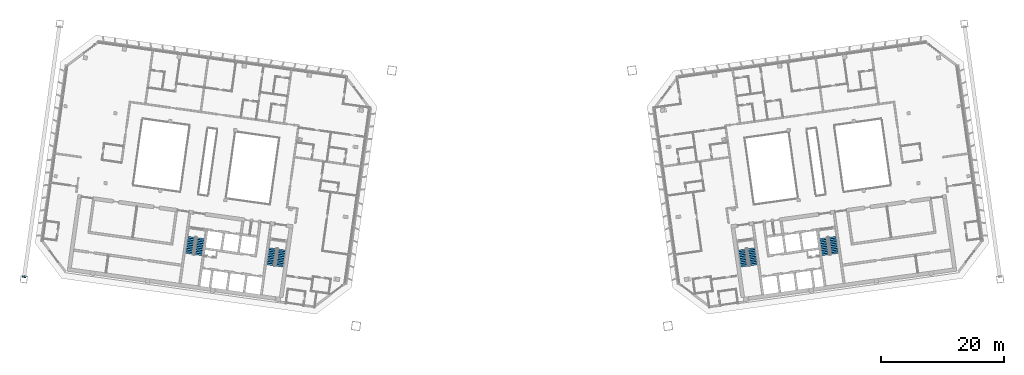
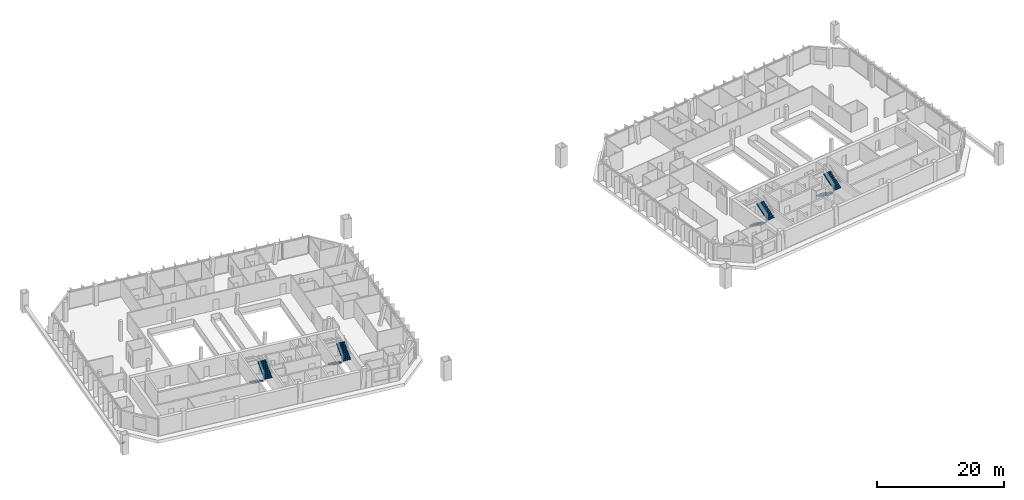
# One storey, part 22 of 26: 8 stair flights, 1 discrete accessory, 4 elements without a shape of their own.
"""IFC4 building model written with IfcOpenShell, lengths in metres."""

from ifc_helpers import new_model, si_unit, direction, frame, origin, origin_2d, place, context, subcontext, project, spatial, polyline, rectangle, outline, extrude, material, material_profile, profile_set, type_object, element, aggregate, save


model = new_model("IFC4")

# Units and contexts
model_context = context("Model", 3, precision=1e-05, world=origin(), true_north=direction((0.0, 1.0)))
body_context = subcontext(model_context, "Body", "Model", "MODEL_VIEW")
ifc_project = project(units=[si_unit("LENGTHUNIT", "METRE"), si_unit("AREAUNIT", "SQUARE_METRE"), si_unit("VOLUMEUNIT", "CUBIC_METRE"), si_unit("PLANEANGLEUNIT", "RADIAN"), si_unit("MASSUNIT", "GRAM", prefix="KILO")], contexts=[model_context])

# Site, building, storey
site_placement = place(None, origin())
site = spatial("IfcSite", under=ifc_project, at=site_placement, CompositionType="ELEMENT")
building_placement = place(site_placement, origin())
building = spatial("IfcBuilding", under=site, at=building_placement, Name="Mirante Cascada Hotel Towers", CompositionType="ELEMENT")
storey_placement = place(building_placement, frame((0.0, 0.0, 216.6)))
storey = spatial("IfcBuildingStorey", under=building, at=storey_placement, Name="L51", CompositionType="ELEMENT", Elevation=216.6)

# Stair, stair flights
ifc_material_1 = material(Name="Concrete C35/45", Category="concrete")
stair_type = type_object("IfcStairType", Name="Exit stair half-turn 1350 concrete C35/45", PredefinedType="HALF_TURN_STAIR", material=ifc_material_1)
stair_1_placement = place(storey_placement, origin())
stair_1 = element("IfcStair", 1, at=stair_1_placement, inside=storey, type_object=stair_type, Name="L51 Exit stair A", PredefinedType="HALF_TURN_STAIR")
ifc_material_2 = material(Name="Concrete C35/45", Category="concrete")
stair_flight_type = type_object("IfcStairFlightType", Name="Exit stair flight 1350 concrete C35/45", PredefinedType="STRAIGHT", material=ifc_material_2)
stair_flight_1_placement = place(storey_placement, frame((-38.9417, -11.195, 0.0), z_axis=(0.0, 0.0, 1.0), x_axis=(-0.1391731, -0.9902681, 0.0)))
stair_flight_1 = element("IfcStairFlight", 2, at=stair_flight_1_placement, type_object=stair_flight_type, Name="ST1-A flight 1", NumberOfRisers=11, NumberOfTreads=10, PredefinedType="STRAIGHT", RiserHeight=0.172727273, TreadLength=0.28, context=body_context, shape_type="SweptSolid", body=[
    extrude(outline(polyline([(0.0, 0.0), (0.0, 0.1727), (0.28, 0.1727), (0.28, 0.3455), (0.56, 0.3455), (0.56, 0.5182), (0.84, 0.5182), (0.84, 0.6909), (1.12, 0.6909), (1.12, 0.8636), (1.4, 0.8636), (1.4, 1.0364), (1.68, 1.0364), (1.68, 1.2091), (1.96, 1.2091), (1.96, 1.3818), (2.24, 1.3818), (2.24, 1.5545), (2.52, 1.5545), (2.52, 1.7273), (2.8, 1.7273), (2.8, 1.9), (2.8, 1.551), (0.2857, 0.0), (0.0, 0.0)])), frame((0.0, 0.675, 0.0), z_axis=(0.0, -1.0, 0.0), x_axis=(1.0, 0.0, 0.0)), (0.0, 0.0, 1.0), 1.35),
])
stair_flight_2_placement = place(storey_placement, frame((-37.846, -14.1765, 1.9), z_axis=(0.0, 0.0, 1.0), x_axis=(0.1391731, 0.9902681, 0.0)))
stair_flight_2 = element("IfcStairFlight", 3, at=stair_flight_2_placement, type_object=stair_flight_type, Name="ST1-A flight 2", NumberOfRisers=11, NumberOfTreads=10, PredefinedType="STRAIGHT", RiserHeight=0.172727273, TreadLength=0.28, context=body_context, shape_type="SweptSolid", body=[
    extrude(outline(polyline([(0.0, 0.0), (0.0, 0.1727), (0.28, 0.1727), (0.28, 0.3455), (0.56, 0.3455), (0.56, 0.5182), (0.84, 0.5182), (0.84, 0.6909), (1.12, 0.6909), (1.12, 0.8636), (1.4, 0.8636), (1.4, 1.0364), (1.68, 1.0364), (1.68, 1.2091), (1.96, 1.2091), (1.96, 1.3818), (2.24, 1.3818), (2.24, 1.5545), (2.52, 1.5545), (2.52, 1.7273), (2.8, 1.7273), (2.8, 1.9), (2.8, 1.551), (0.2857, 0.0), (0.0, 0.0)])), frame((0.0, 0.675, 0.0), z_axis=(0.0, -1.0, 0.0), x_axis=(1.0, 0.0, 0.0)), (0.0, 0.0, 1.0), 1.35),
])
aggregate(stair_1, [stair_flight_1, stair_flight_2])

stair_2_placement = place(storey_placement, origin())
stair_2 = element("IfcStair", 4, at=stair_2_placement, inside=storey, type_object=stair_type, Name="L51 Exit stair B", PredefinedType="HALF_TURN_STAIR")
stair_flight_3_placement = place(storey_placement, frame((-52.1618, -9.3371, 0.0), z_axis=(0.0, 0.0, 1.0), x_axis=(-0.1391731, -0.9902681, 0.0)))
stair_flight_3 = element("IfcStairFlight", 5, at=stair_flight_3_placement, type_object=stair_flight_type, Name="ST1-B flight 1", NumberOfRisers=11, NumberOfTreads=10, PredefinedType="STRAIGHT", RiserHeight=0.172727273, TreadLength=0.28, context=body_context, shape_type="SweptSolid", body=[
    extrude(outline(polyline([(0.0, 0.0), (0.0, 0.1727), (0.28, 0.1727), (0.28, 0.3455), (0.56, 0.3455), (0.56, 0.5182), (0.84, 0.5182), (0.84, 0.6909), (1.12, 0.6909), (1.12, 0.8636), (1.4, 0.8636), (1.4, 1.0364), (1.68, 1.0364), (1.68, 1.2091), (1.96, 1.2091), (1.96, 1.3818), (2.24, 1.3818), (2.24, 1.5545), (2.52, 1.5545), (2.52, 1.7273), (2.8, 1.7273), (2.8, 1.9), (2.8, 1.551), (0.2857, 0.0), (0.0, 0.0)])), frame((0.0, 0.675, 0.0), z_axis=(0.0, -1.0, 0.0), x_axis=(1.0, 0.0, 0.0)), (0.0, 0.0, 1.0), 1.35),
])
stair_flight_4_placement = place(storey_placement, frame((-51.0661, -12.3186, 1.9), z_axis=(0.0, 0.0, 1.0), x_axis=(0.1391731, 0.9902681, 0.0)))
stair_flight_4 = element("IfcStairFlight", 6, at=stair_flight_4_placement, type_object=stair_flight_type, Name="ST1-B flight 2", NumberOfRisers=11, NumberOfTreads=10, PredefinedType="STRAIGHT", RiserHeight=0.172727273, TreadLength=0.28, context=body_context, shape_type="SweptSolid", body=[
    extrude(outline(polyline([(0.0, 0.0), (0.0, 0.1727), (0.28, 0.1727), (0.28, 0.3455), (0.56, 0.3455), (0.56, 0.5182), (0.84, 0.5182), (0.84, 0.6909), (1.12, 0.6909), (1.12, 0.8636), (1.4, 0.8636), (1.4, 1.0364), (1.68, 1.0364), (1.68, 1.2091), (1.96, 1.2091), (1.96, 1.3818), (2.24, 1.3818), (2.24, 1.5545), (2.52, 1.5545), (2.52, 1.7273), (2.8, 1.7273), (2.8, 1.9), (2.8, 1.551), (0.2857, 0.0), (0.0, 0.0)])), frame((0.0, 0.675, 0.0), z_axis=(0.0, -1.0, 0.0), x_axis=(1.0, 0.0, 0.0)), (0.0, 0.0, 1.0), 1.35),
])
aggregate(stair_2, [stair_flight_3, stair_flight_4])

stair_3_placement = place(storey_placement, origin())
stair_3 = element("IfcStair", 7, at=stair_3_placement, inside=storey, type_object=stair_type, Name="L51 Exit stair A", PredefinedType="HALF_TURN_STAIR")
stair_flight_5_placement = place(storey_placement, frame((37.4563, -11.4038, 0.0), z_axis=(0.0, 0.0, 1.0), x_axis=(0.1391731, -0.9902681, 0.0)))
stair_flight_5 = element("IfcStairFlight", 8, at=stair_flight_5_placement, type_object=stair_flight_type, Name="ST2-A flight 1", NumberOfRisers=11, NumberOfTreads=10, PredefinedType="STRAIGHT", RiserHeight=0.172727273, TreadLength=0.28, context=body_context, shape_type="SweptSolid", body=[
    extrude(outline(polyline([(0.0, 0.0), (0.0, 0.1727), (0.28, 0.1727), (0.28, 0.3455), (0.56, 0.3455), (0.56, 0.5182), (0.84, 0.5182), (0.84, 0.6909), (1.12, 0.6909), (1.12, 0.8636), (1.4, 0.8636), (1.4, 1.0364), (1.68, 1.0364), (1.68, 1.2091), (1.96, 1.2091), (1.96, 1.3818), (2.24, 1.3818), (2.24, 1.5545), (2.52, 1.5545), (2.52, 1.7273), (2.8, 1.7273), (2.8, 1.9), (2.8, 1.551), (0.2857, 0.0), (0.0, 0.0)])), frame((0.0, 0.675, 0.0), z_axis=(0.0, -1.0, 0.0), x_axis=(1.0, 0.0, 0.0)), (0.0, 0.0, 1.0), 1.35),
])
stair_flight_6_placement = place(storey_placement, frame((39.3314, -13.9678, 1.9), z_axis=(0.0, 0.0, 1.0), x_axis=(-0.1391731, 0.9902681, 0.0)))
stair_flight_6 = element("IfcStairFlight", 9, at=stair_flight_6_placement, type_object=stair_flight_type, Name="ST2-A flight 2", NumberOfRisers=11, NumberOfTreads=10, PredefinedType="STRAIGHT", RiserHeight=0.172727273, TreadLength=0.28, context=body_context, shape_type="SweptSolid", body=[
    extrude(outline(polyline([(0.0, 0.0), (0.0, 0.1727), (0.28, 0.1727), (0.28, 0.3455), (0.56, 0.3455), (0.56, 0.5182), (0.84, 0.5182), (0.84, 0.6909), (1.12, 0.6909), (1.12, 0.8636), (1.4, 0.8636), (1.4, 1.0364), (1.68, 1.0364), (1.68, 1.2091), (1.96, 1.2091), (1.96, 1.3818), (2.24, 1.3818), (2.24, 1.5545), (2.52, 1.5545), (2.52, 1.7273), (2.8, 1.7273), (2.8, 1.9), (2.8, 1.551), (0.2857, 0.0), (0.0, 0.0)])), frame((0.0, 0.675, 0.0), z_axis=(0.0, -1.0, 0.0), x_axis=(1.0, 0.0, 0.0)), (0.0, 0.0, 1.0), 1.35),
])
aggregate(stair_3, [stair_flight_5, stair_flight_6])

stair_4_placement = place(storey_placement, origin())
stair_4 = element("IfcStair", 10, at=stair_4_placement, inside=storey, type_object=stair_type, Name="L51 Exit stair B", PredefinedType="HALF_TURN_STAIR")
stair_flight_7_placement = place(storey_placement, frame((50.6764, -9.5458, 0.0), z_axis=(0.0, 0.0, 1.0), x_axis=(0.1391731, -0.9902681, 0.0)))
stair_flight_7 = element("IfcStairFlight", 11, at=stair_flight_7_placement, type_object=stair_flight_type, Name="ST2-B flight 1", NumberOfRisers=11, NumberOfTreads=10, PredefinedType="STRAIGHT", RiserHeight=0.172727273, TreadLength=0.28, context=body_context, shape_type="SweptSolid", body=[
    extrude(outline(polyline([(0.0, 0.0), (0.0, 0.1727), (0.28, 0.1727), (0.28, 0.3455), (0.56, 0.3455), (0.56, 0.5182), (0.84, 0.5182), (0.84, 0.6909), (1.12, 0.6909), (1.12, 0.8636), (1.4, 0.8636), (1.4, 1.0364), (1.68, 1.0364), (1.68, 1.2091), (1.96, 1.2091), (1.96, 1.3818), (2.24, 1.3818), (2.24, 1.5545), (2.52, 1.5545), (2.52, 1.7273), (2.8, 1.7273), (2.8, 1.9), (2.8, 1.551), (0.2857, 0.0), (0.0, 0.0)])), frame((0.0, 0.675, 0.0), z_axis=(0.0, -1.0, 0.0), x_axis=(1.0, 0.0, 0.0)), (0.0, 0.0, 1.0), 1.35),
])
stair_flight_8_placement = place(storey_placement, frame((52.5515, -12.1098, 1.9), z_axis=(0.0, 0.0, 1.0), x_axis=(-0.1391731, 0.9902681, 0.0)))
stair_flight_8 = element("IfcStairFlight", 12, at=stair_flight_8_placement, type_object=stair_flight_type, Name="ST2-B flight 2", NumberOfRisers=11, NumberOfTreads=10, PredefinedType="STRAIGHT", RiserHeight=0.172727273, TreadLength=0.28, context=body_context, shape_type="SweptSolid", body=[
    extrude(outline(polyline([(0.0, 0.0), (0.0, 0.1727), (0.28, 0.1727), (0.28, 0.3455), (0.56, 0.3455), (0.56, 0.5182), (0.84, 0.5182), (0.84, 0.6909), (1.12, 0.6909), (1.12, 0.8636), (1.4, 0.8636), (1.4, 1.0364), (1.68, 1.0364), (1.68, 1.2091), (1.96, 1.2091), (1.96, 1.3818), (2.24, 1.3818), (2.24, 1.5545), (2.52, 1.5545), (2.52, 1.7273), (2.8, 1.7273), (2.8, 1.9), (2.8, 1.551), (0.2857, 0.0), (0.0, 0.0)])), frame((0.0, 0.675, 0.0), z_axis=(0.0, -1.0, 0.0), x_axis=(1.0, 0.0, 0.0)), (0.0, 0.0, 1.0), 1.35),
])
aggregate(stair_4, [stair_flight_7, stair_flight_8])

# Discrete accessory
ifc_material_3 = material(Name="Steel ASTM A572 Gr 50", Category="steel")
ifc_material_profile = material_profile(ifc_material_3, rectangle(XDim=0.6, YDim=0.6, at=origin_2d()), Name="Connection plate 600x600x25 ASTM A572 Gr 50")
ifc_profile_set = profile_set([ifc_material_profile], Name="Steel ASTM A572 Gr 50")
discrete_accessory_type = type_object("IfcDiscreteAccessoryType", Name="Connection plate 600x600x25 ASTM A572 Gr 50", PredefinedType="BRACKET", material=ifc_profile_set)
discrete_accessory_placement = place(storey_placement, frame((-79.403, -15.8079, 1.6086), z_axis=(0.1640919, 0.8724887, 0.4602578), x_axis=(-0.98277, 0.1848329, 0.0)))
element("IfcDiscreteAccessory", 13, at=discrete_accessory_placement, inside=storey, type_object=discrete_accessory_type, Name="Connection plate MB-OL51L", PredefinedType="BRACKET", context=body_context, shape_type="SweptSolid", body=[
    extrude(rectangle(XDim=0.6, YDim=0.6, at=origin_2d()), origin(), (0.0, 0.0, 1.0), 0.025),
])

save(model, "model.ifc")
